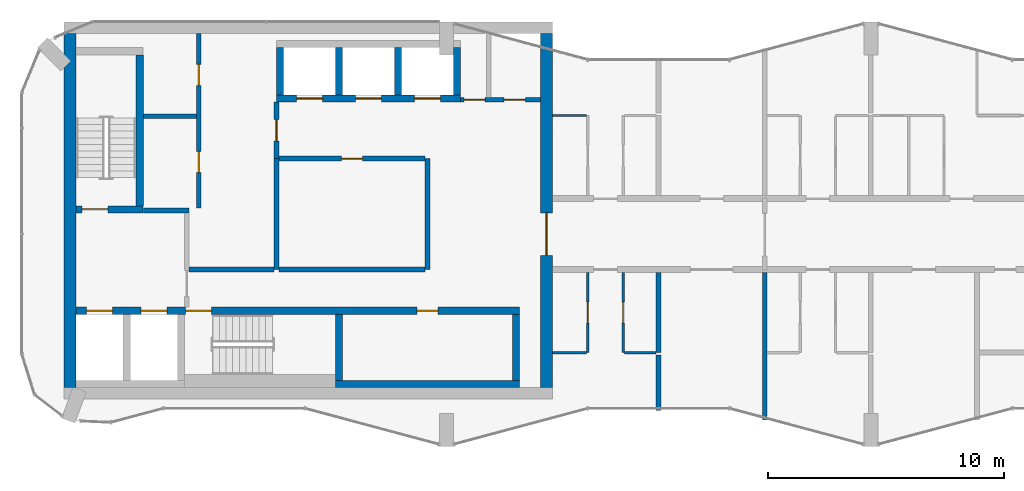
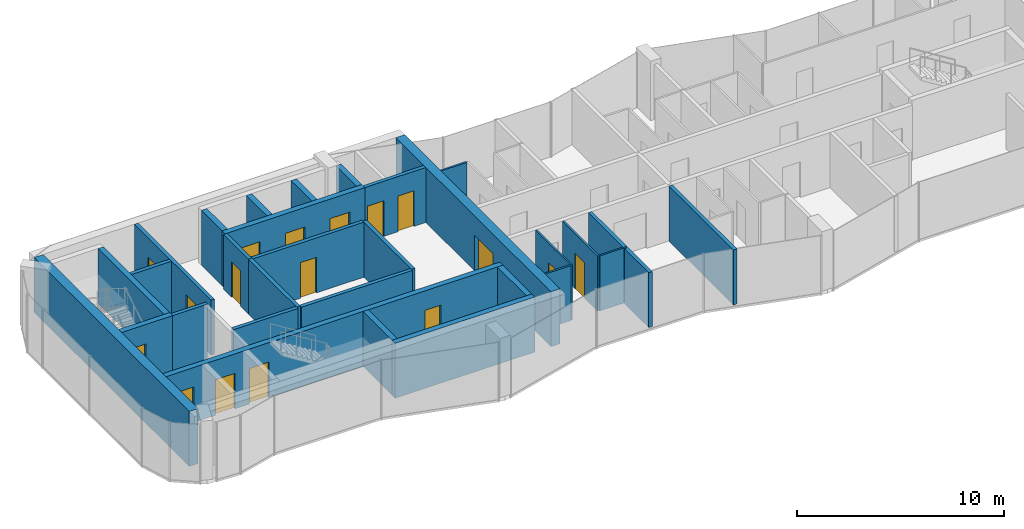
# One storey, part 7 of 10: 31 walls, 17 doors, 17 openings.
"""IFC4 building model written with IfcOpenShell, lengths in metres."""

from ifc_helpers import new_model, si_unit, direction, frame, frame_2d, origin, place, context, subcontext, project, spatial, rectangle, extrude, material, layer, layer_set, type_object, element, fill, save


model = new_model("IFC4")

# Units and contexts
model_context = context("Model", 3, precision=1e-05, world=origin(), true_north=direction((0.0, 1.0)))
body_context = subcontext(model_context, "Body", "Model", "MODEL_VIEW")
ifc_project = project(units=[si_unit("LENGTHUNIT", "METRE"), si_unit("AREAUNIT", "SQUARE_METRE"), si_unit("VOLUMEUNIT", "CUBIC_METRE"), si_unit("PLANEANGLEUNIT", "RADIAN"), si_unit("MASSUNIT", "GRAM", prefix="KILO")], contexts=[model_context])

# Site, building, storey
site_placement = place(None, origin())
site = spatial("IfcSite", under=ifc_project, at=site_placement, CompositionType="ELEMENT")
building_placement = place(site_placement, origin())
building = spatial("IfcBuilding", under=site, at=building_placement, Name="Plateau Cross Towers", CompositionType="ELEMENT")
storey_placement = place(building_placement, frame((0.0, 0.0, 252.89990234375)))
storey = spatial("IfcBuildingStorey", under=building, at=storey_placement, Name="L66", CompositionType="ELEMENT", Elevation=252.89990234375)

# Walls
ifc_material_1 = material(Name="Concrete block, plastered both sides", Category="concrete")
ifc_layer_1 = layer(ifc_material_1, 0.199951171875)
ifc_layer_set_1 = layer_set([ifc_layer_1], Name="Concrete block, plastered both sides")
wall_type_1 = type_object("IfcWallType", Name="Core partition 200", PredefinedType="PARTITIONING", material=ifc_layer_set_1)
wall_1_placement = place(storey_placement, frame((5.14990234375, 10.0, 0.0), z_axis=(0.0, 0.0, 1.0), x_axis=(1.0, 0.0, 0.0)))
element("IfcWall", 1, at=wall_1_placement, inside=storey, type_object=wall_type_1, Name="Core partition", PredefinedType="PARTITIONING", context=body_context, shape_type="SweptSolid", body=[
    extrude(rectangle(XDim=1.9501953125, YDim=0.199951171875, at=frame_2d((0.97509765625, 0.0))), origin(), (0.0, 0.0, 1.0), 3.25),
])
wall_2_placement = place(storey_placement, frame((7.10009765625, 7.5, 0.0), z_axis=(0.0, 0.0, 1.0), x_axis=(1.0, 0.0, 0.0)))
element("IfcWall", 2, at=wall_2_placement, inside=storey, type_object=wall_type_1, Name="Core partition", PredefinedType="PARTITIONING", context=body_context, shape_type="SweptSolid", body=[
    extrude(rectangle(XDim=3.599853515625, YDim=0.199951171875, at=frame_2d((1.7998046875, 0.0))), origin(), (0.0, 0.0, 1.0), 3.25),
])

# Wall, opening, door
wall_3_placement = place(storey_placement, frame((10.800048828125, 12.199951171875, 0.0), z_axis=(0.0, 0.0, 1.0), x_axis=(0.0, 1.0, 0.0)))
wall_3 = element("IfcWall", 3, at=wall_3_placement, inside=storey, type_object=wall_type_1, Name="Core partition", PredefinedType="PARTITIONING", context=body_context, shape_type="SweptSolid", body=[
    extrude(rectangle(XDim=2.400146484375, YDim=0.199951171875, at=frame_2d((1.2001953125, 0.0))), origin(), (0.0, 0.0, 1.0), 3.25),
])
opening_1_placement = place(wall_3_placement, frame((0.75, 0.0, 0.0)))
opening_1 = element("IfcOpeningElement", 4, at=opening_1_placement, cuts=wall_3, Name="Opening RD1", PredefinedType="OPENING", context=body_context, shape_type="SweptSolid", body=[
    extrude(rectangle(XDim=0.89990234375, YDim=2.10009765625, at=frame_2d((0.449951171875, 1.050048828125))), frame((0.0, 0.10986328125, 0.0), z_axis=(0.0, -1.0, 0.0), x_axis=(1.0, 0.0, 0.0)), (0.0, 0.0, 1.0), 0.219970703125),
])
ifc_material_2 = material(Name="Timber, fire-resisting leaf", Category="wood")
door_type_1 = type_object("IfcDoorType", Name="Core service door 900", OperationType="NOTDEFINED", PredefinedType="DOOR", material=ifc_material_2)
door_1_placement = place(opening_1_placement, origin())
door_1 = element("IfcDoor", 5, at=door_1_placement, inside=storey, type_object=door_type_1, Name="Core service door RD1", OperationType="SINGLE_SWING_LEFT", OverallHeight=2.10009765625, OverallWidth=0.89990234375, PredefinedType="DOOR", context=body_context, shape_type="SweptSolid", body=[
    extrude(rectangle(XDim=0.89990234375, YDim=2.10009765625, at=frame_2d((0.449951171875, 1.050048828125))), frame((0.0, 0.02490234375, 0.0), z_axis=(0.0, -1.0, 0.0), x_axis=(1.0, 0.0, 0.0)), (0.0, 0.0, 1.0), 0.050048828125),
])
fill(opening_1, door_1)

# Walls
wall_4_placement = place(storey_placement, frame((10.800048828125, 7.5, 0.0), z_axis=(0.0, 0.0, 1.0), x_axis=(0.0, 1.0, 0.0)))
element("IfcWall", 6, at=wall_4_placement, inside=storey, type_object=wall_type_1, Name="Core partition", PredefinedType="PARTITIONING", context=body_context, shape_type="SweptSolid", body=[
    extrude(rectangle(XDim=4.699951171875, YDim=0.199951171875, at=frame_2d((2.35009765625, 0.0))), origin(), (0.0, 0.0, 1.0), 3.25),
])
wall_5_placement = place(storey_placement, frame((10.89990234375, 7.5, 0.0), z_axis=(0.0, 0.0, 1.0), x_axis=(1.0, 0.0, 0.0)))
element("IfcWall", 7, at=wall_5_placement, inside=storey, type_object=wall_type_1, Name="Core partition", PredefinedType="PARTITIONING", context=body_context, shape_type="SweptSolid", body=[
    extrude(rectangle(XDim=6.2001953125, YDim=0.199951171875, at=frame_2d((3.10009765625, 0.0))), origin(), (0.0, 0.0, 1.0), 3.25),
])
wall_6_placement = place(storey_placement, frame((17.199951171875, 7.5, 0.0), z_axis=(0.0, 0.0, 1.0), x_axis=(0.0, 1.0, 0.0)))
element("IfcWall", 8, at=wall_6_placement, inside=storey, type_object=wall_type_1, Name="Core partition", PredefinedType="PARTITIONING", context=body_context, shape_type="SweptSolid", body=[
    extrude(rectangle(XDim=4.699951171875, YDim=0.199951171875, at=frame_2d((2.35009765625, 0.0))), origin(), (0.0, 0.0, 1.0), 3.25),
])

# Wall, opening, door
wall_7_placement = place(storey_placement, frame((10.89990234375, 12.199951171875, 0.0), z_axis=(0.0, 0.0, 1.0), x_axis=(1.0, 0.0, 0.0)))
wall_7 = element("IfcWall", 9, at=wall_7_placement, inside=storey, type_object=wall_type_1, Name="Core partition", PredefinedType="PARTITIONING", context=body_context, shape_type="SweptSolid", body=[
    extrude(rectangle(XDim=6.2001953125, YDim=0.199951171875, at=frame_2d((3.10009765625, 0.0))), origin(), (0.0, 0.0, 1.0), 3.25),
])
opening_2_placement = place(wall_7_placement, frame((2.64990234375, 0.0, 0.0)))
opening_2 = element("IfcOpeningElement", 10, at=opening_2_placement, cuts=wall_7, Name="Opening RD1", PredefinedType="OPENING", context=body_context, shape_type="SweptSolid", body=[
    extrude(rectangle(XDim=0.89990234375, YDim=2.10009765625, at=frame_2d((0.449951171875, 1.050048828125))), frame((0.0, 0.10986328125, 0.0), z_axis=(0.0, -1.0, 0.0), x_axis=(1.0, 0.0, 0.0)), (0.0, 0.0, 1.0), 0.219970703125),
])
door_2_placement = place(opening_2_placement, origin())
door_2 = element("IfcDoor", 11, at=door_2_placement, inside=storey, type_object=door_type_1, Name="Core service door RD1", OperationType="SINGLE_SWING_LEFT", OverallHeight=2.10009765625, OverallWidth=0.89990234375, PredefinedType="DOOR", context=body_context, shape_type="SweptSolid", body=[
    extrude(rectangle(XDim=0.89990234375, YDim=2.10009765625, at=frame_2d((0.449951171875, 1.050048828125))), frame((0.0, 0.02490234375, 0.0), z_axis=(0.0, -1.0, 0.0), x_axis=(1.0, 0.0, 0.0)), (0.0, 0.0, 1.0), 0.050048828125),
])
fill(opening_2, door_2)

# Wall, openings, doors
wall_8_placement = place(storey_placement, frame((7.5, 10.10009765625, 0.0), z_axis=(0.0, 0.0, 1.0), x_axis=(0.0, 1.0, 0.0)))
wall_8 = element("IfcWall", 12, at=wall_8_placement, inside=storey, type_object=wall_type_1, Name="Core partition", PredefinedType="PARTITIONING", context=body_context, shape_type="SweptSolid", body=[
    extrude(rectangle(XDim=7.39990234375, YDim=0.199951171875, at=frame_2d((3.699951171875, 0.0))), origin(), (0.0, 0.0, 1.0), 3.25),
])
opening_3_placement = place(wall_8_placement, frame((1.5, 0.0, 0.0)))
opening_3 = element("IfcOpeningElement", 13, at=opening_3_placement, cuts=wall_8, Name="Opening RD1", PredefinedType="OPENING", context=body_context, shape_type="SweptSolid", body=[
    extrude(rectangle(XDim=0.89990234375, YDim=2.10009765625, at=frame_2d((0.449951171875, 1.050048828125))), frame((0.0, 0.10986328125, 0.0), z_axis=(0.0, -1.0, 0.0), x_axis=(1.0, 0.0, 0.0)), (0.0, 0.0, 1.0), 0.219970703125),
])
opening_4_placement = place(wall_8_placement, frame((5.199951171875, 0.0, 0.0)))
opening_4 = element("IfcOpeningElement", 14, at=opening_4_placement, cuts=wall_8, Name="Opening RD1", PredefinedType="OPENING", context=body_context, shape_type="SweptSolid", body=[
    extrude(rectangle(XDim=0.89990234375, YDim=2.10009765625, at=frame_2d((0.449951171875, 1.050048828125))), frame((0.0, 0.10986328125, 0.0), z_axis=(0.0, -1.0, 0.0), x_axis=(1.0, 0.0, 0.0)), (0.0, 0.0, 1.0), 0.219970703125),
])
door_3_placement = place(opening_3_placement, origin())
door_3 = element("IfcDoor", 15, at=door_3_placement, inside=storey, type_object=door_type_1, Name="Core service door RD1", OperationType="SINGLE_SWING_RIGHT", OverallHeight=2.10009765625, OverallWidth=0.89990234375, PredefinedType="DOOR", context=body_context, shape_type="SweptSolid", body=[
    extrude(rectangle(XDim=0.89990234375, YDim=2.10009765625, at=frame_2d((0.449951171875, 1.050048828125))), frame((0.0, 0.02490234375, 0.0), z_axis=(0.0, -1.0, 0.0), x_axis=(1.0, 0.0, 0.0)), (0.0, 0.0, 1.0), 0.050048828125),
])
fill(opening_3, door_3)
door_4_placement = place(opening_4_placement, origin())
door_4 = element("IfcDoor", 16, at=door_4_placement, inside=storey, type_object=door_type_1, Name="Core service door RD1", OperationType="SINGLE_SWING_RIGHT", OverallHeight=2.10009765625, OverallWidth=0.89990234375, PredefinedType="DOOR", context=body_context, shape_type="SweptSolid", body=[
    extrude(rectangle(XDim=0.89990234375, YDim=2.10009765625, at=frame_2d((0.449951171875, 1.050048828125))), frame((0.0, 0.02490234375, 0.0), z_axis=(0.0, -1.0, 0.0), x_axis=(1.0, 0.0, 0.0)), (0.0, 0.0, 1.0), 0.050048828125),
])
fill(opening_4, door_4)

# Wall
wall_9_placement = place(storey_placement, frame((5.14990234375, 14.0, 0.0), z_axis=(0.0, 0.0, 1.0), x_axis=(1.0, 0.0, 0.0)))
element("IfcWall", 17, at=wall_9_placement, inside=storey, type_object=wall_type_1, Name="Core partition", PredefinedType="PARTITIONING", context=body_context, shape_type="SweptSolid", body=[
    extrude(rectangle(XDim=2.25, YDim=0.199951171875, at=frame_2d((1.125, 0.0))), origin(), (0.0, 0.0, 1.0), 3.25),
])

# Wall, openings, doors
wall_10_placement = place(storey_placement, frame((18.60009765625, 14.699951171875, 0.0), z_axis=(0.0, 0.0, 1.0), x_axis=(1.0, 0.0, 0.0)))
wall_10 = element("IfcWall", 18, at=wall_10_placement, inside=storey, type_object=wall_type_1, Name="Core partition", PredefinedType="PARTITIONING", context=body_context, shape_type="SweptSolid", body=[
    extrude(rectangle(XDim=3.39990234375, YDim=0.199951171875, at=frame_2d((1.699951171875, 0.0))), origin(), (0.0, 0.0, 1.0), 3.25),
])
opening_5_placement = place(wall_10_placement, frame((0.14990234375, 0.0, 0.0)))
opening_5 = element("IfcOpeningElement", 19, at=opening_5_placement, cuts=wall_10, Name="Opening RD2", PredefinedType="OPENING", context=body_context, shape_type="SweptSolid", body=[
    extrude(rectangle(XDim=0.89990234375, YDim=2.10009765625, at=frame_2d((0.449951171875, 1.050048828125))), frame((0.0, 0.10986328125, 0.0), z_axis=(0.0, -1.0, 0.0), x_axis=(1.0, 0.0, 0.0)), (0.0, 0.0, 1.0), 0.219970703125),
])
opening_6_placement = place(wall_10_placement, frame((1.85009765625, 0.0, 0.0)))
opening_6 = element("IfcOpeningElement", 20, at=opening_6_placement, cuts=wall_10, Name="Opening RD2", PredefinedType="OPENING", context=body_context, shape_type="SweptSolid", body=[
    extrude(rectangle(XDim=0.89990234375, YDim=2.10009765625, at=frame_2d((0.449951171875, 1.050048828125))), frame((0.0, 0.10986328125, 0.0), z_axis=(0.0, -1.0, 0.0), x_axis=(1.0, 0.0, 0.0)), (0.0, 0.0, 1.0), 0.219970703125),
])
ifc_material_3 = material(Name="Steel, fire-resisting leaf", Category="steel")
door_type_2 = type_object("IfcDoorType", Name="Core riser door 900", OperationType="NOTDEFINED", PredefinedType="DOOR", material=ifc_material_3)
door_5_placement = place(opening_5_placement, origin())
door_5 = element("IfcDoor", 21, at=door_5_placement, inside=storey, type_object=door_type_2, Name="Core riser door RD2", OperationType="SINGLE_SWING_LEFT", OverallHeight=2.10009765625, OverallWidth=0.89990234375, PredefinedType="DOOR", context=body_context, shape_type="SweptSolid", body=[
    extrude(rectangle(XDim=0.89990234375, YDim=2.10009765625, at=frame_2d((0.449951171875, 1.050048828125))), frame((0.0, 0.02490234375, 0.0), z_axis=(0.0, -1.0, 0.0), x_axis=(1.0, 0.0, 0.0)), (0.0, 0.0, 1.0), 0.050048828125),
])
fill(opening_5, door_5)
door_6_placement = place(opening_6_placement, origin())
door_6 = element("IfcDoor", 22, at=door_6_placement, inside=storey, type_object=door_type_2, Name="Core riser door RD2", OperationType="SINGLE_SWING_LEFT", OverallHeight=2.10009765625, OverallWidth=0.89990234375, PredefinedType="DOOR", context=body_context, shape_type="SweptSolid", body=[
    extrude(rectangle(XDim=0.89990234375, YDim=2.10009765625, at=frame_2d((0.449951171875, 1.050048828125))), frame((0.0, 0.02490234375, 0.0), z_axis=(0.0, -1.0, 0.0), x_axis=(1.0, 0.0, 0.0)), (0.0, 0.0, 1.0), 0.050048828125),
])
fill(opening_6, door_6)

# Walls
ifc_material_4 = material(Name="Concrete C60/75", Category="concrete")
ifc_layer_2 = layer(ifc_material_4, 0.300048828125)
ifc_layer_set_2 = layer_set([ifc_layer_2], Name="Concrete C60/75")
wall_type_2 = type_object("IfcWallType", Name="Core shaft wall 300", PredefinedType="SHEAR", material=ifc_layer_set_2)
wall_11_placement = place(storey_placement, frame((13.300048828125, 2.64990234375, 0.0), z_axis=(0.0, 0.0, 1.0), x_axis=(1.0, 0.0, 0.0)))
element("IfcWall", 23, at=wall_11_placement, inside=storey, type_object=wall_type_2, Name="A-sb-back3@L66", PredefinedType="SHEAR", context=body_context, shape_type="SweptSolid", body=[
    extrude(rectangle(XDim=7.800048828125, YDim=0.300048828125, at=frame_2d((3.89990234375, 0.0))), origin(), (0.0, 0.0, 1.0), 3.25),
])
for number, where, z_axis, x_axis, name in (
    (24, (13.449951171875, 2.800048828125, 0.0), (0.0, 0.0, 1.0), (0.0, 1.0, 0.0), "A-sb-v3@L66"),
    (25, (20.949951171875, 2.800048828125, 0.0), (0.0, 0.0, 1.0), (0.0, 1.0, 0.0), "A-sb-v6@L66"),
):
    element("IfcWall", number, at=place(storey_placement, frame(where, z_axis=z_axis, x_axis=x_axis)), inside=storey, type_object=wall_type_2, Name=name, PredefinedType="SHEAR", context=body_context, shape_type="SweptSolid", body=[
        extrude(rectangle(XDim=2.800048828125, YDim=0.300048828125, at=frame_2d((1.39990234375, 0.0))), origin(), (0.0, 0.0, 1.0), 3.25),
    ])

# Wall, openings, doors
wall_12_placement = place(storey_placement, frame((2.300048828125, 5.75, 0.0), z_axis=(0.0, 0.0, 1.0), x_axis=(1.0, 0.0, 0.0)))
wall_12 = element("IfcWall", 26, at=wall_12_placement, inside=storey, type_object=wall_type_2, Name="A-sb-front@L66", PredefinedType="SHEAR", context=body_context, shape_type="SweptSolid", body=[
    extrude(rectangle(XDim=18.800048828125, YDim=0.300048828125, at=frame_2d((9.39990234375, 0.0))), origin(), (0.0, 0.0, 1.0), 3.25),
])
opening_7_placement = place(wall_12_placement, frame((4.64990234375, 0.0, 0.0)))
opening_7 = element("IfcOpeningElement", 27, at=opening_7_placement, cuts=wall_12, Name="Opening SD", PredefinedType="OPENING", context=body_context, shape_type="SweptSolid", body=[
    extrude(rectangle(XDim=1.10009765625, YDim=2.10009765625, at=frame_2d((0.550048828125, 1.050048828125))), frame((0.0, 0.159912109375, 0.0), z_axis=(0.0, -1.0, 0.0), x_axis=(1.0, 0.0, 0.0)), (0.0, 0.0, 1.0), 0.320068359375),
])
opening_8_placement = place(wall_12_placement, frame((0.449951171875, 0.0, 0.0)))
opening_8 = element("IfcOpeningElement", 28, at=opening_8_placement, cuts=wall_12, Name="Opening LD", PredefinedType="OPENING", context=body_context, shape_type="SweptSolid", body=[
    extrude(rectangle(XDim=1.10009765625, YDim=2.10009765625, at=frame_2d((0.550048828125, 1.050048828125))), frame((0.0, 0.159912109375, 0.0), z_axis=(0.0, -1.0, 0.0), x_axis=(1.0, 0.0, 0.0)), (0.0, 0.0, 1.0), 0.320068359375),
])
opening_9_placement = place(wall_12_placement, frame((2.75, 0.0, 0.0)))
opening_9 = element("IfcOpeningElement", 29, at=opening_9_placement, cuts=wall_12, Name="Opening LD", PredefinedType="OPENING", context=body_context, shape_type="SweptSolid", body=[
    extrude(rectangle(XDim=1.10009765625, YDim=2.10009765625, at=frame_2d((0.550048828125, 1.050048828125))), frame((0.0, 0.159912109375, 0.0), z_axis=(0.0, -1.0, 0.0), x_axis=(1.0, 0.0, 0.0)), (0.0, 0.0, 1.0), 0.320068359375),
])
opening_10_placement = place(wall_12_placement, frame((14.449951171875, 0.0, 0.0)))
opening_10 = element("IfcOpeningElement", 30, at=opening_10_placement, cuts=wall_12, Name="Opening RD2", PredefinedType="OPENING", context=body_context, shape_type="SweptSolid", body=[
    extrude(rectangle(XDim=0.89990234375, YDim=2.10009765625, at=frame_2d((0.449951171875, 1.050048828125))), frame((0.0, 0.159912109375, 0.0), z_axis=(0.0, -1.0, 0.0), x_axis=(1.0, 0.0, 0.0)), (0.0, 0.0, 1.0), 0.320068359375),
])
door_7_placement = place(opening_10_placement, origin())
door_7 = element("IfcDoor", 31, at=door_7_placement, inside=storey, type_object=door_type_2, Name="Core riser door RD2", OperationType="SINGLE_SWING_LEFT", OverallHeight=2.10009765625, OverallWidth=0.89990234375, PredefinedType="DOOR", context=body_context, shape_type="SweptSolid", body=[
    extrude(rectangle(XDim=0.89990234375, YDim=2.10009765625, at=frame_2d((0.449951171875, 1.050048828125))), frame((0.0, 0.02490234375, 0.0), z_axis=(0.0, -1.0, 0.0), x_axis=(1.0, 0.0, 0.0)), (0.0, 0.0, 1.0), 0.050048828125),
])
fill(opening_10, door_7)
ifc_material_5 = material(Name="Stainless steel, fire-resisting sliding leaves", Category="steel")
door_type_3 = type_object("IfcDoorType", Name="Lift landing door 1100", OperationType="NOTDEFINED", PredefinedType="DOOR", material=ifc_material_5)
door_8_placement = place(opening_8_placement, origin())
door_8 = element("IfcDoor", 32, at=door_8_placement, inside=storey, type_object=door_type_3, Name="Lift landing door LD", OperationType="DOUBLE_DOOR_SLIDING", OverallHeight=2.10009765625, OverallWidth=1.10009765625, PredefinedType="DOOR", context=body_context, shape_type="SweptSolid", body=[
    extrude(rectangle(XDim=1.10009765625, YDim=2.10009765625, at=frame_2d((0.550048828125, 1.050048828125))), frame((0.0, 0.02490234375, 0.0), z_axis=(0.0, -1.0, 0.0), x_axis=(1.0, 0.0, 0.0)), (0.0, 0.0, 1.0), 0.050048828125),
])
fill(opening_8, door_8)
door_9_placement = place(opening_9_placement, origin())
door_9 = element("IfcDoor", 33, at=door_9_placement, inside=storey, type_object=door_type_3, Name="Lift landing door LD", OperationType="DOUBLE_DOOR_SLIDING", OverallHeight=2.10009765625, OverallWidth=1.10009765625, PredefinedType="DOOR", context=body_context, shape_type="SweptSolid", body=[
    extrude(rectangle(XDim=1.10009765625, YDim=2.10009765625, at=frame_2d((0.550048828125, 1.050048828125))), frame((0.0, 0.02490234375, 0.0), z_axis=(0.0, -1.0, 0.0), x_axis=(1.0, 0.0, 0.0)), (0.0, 0.0, 1.0), 0.050048828125),
])
fill(opening_9, door_9)
door_type_4 = type_object("IfcDoorType", Name="Stair door 1100", OperationType="NOTDEFINED", PredefinedType="DOOR", material=ifc_material_3)
door_10_placement = place(opening_7_placement, origin())
door_10 = element("IfcDoor", 34, at=door_10_placement, inside=storey, type_object=door_type_4, Name="Stair door SD", OperationType="SINGLE_SWING_LEFT", OverallHeight=2.10009765625, OverallWidth=1.10009765625, PredefinedType="DOOR", context=body_context, shape_type="SweptSolid", body=[
    extrude(rectangle(XDim=1.10009765625, YDim=2.10009765625, at=frame_2d((0.550048828125, 1.050048828125))), frame((0.0, 0.02490234375, 0.0), z_axis=(0.0, -1.0, 0.0), x_axis=(1.0, 0.0, 0.0)), (0.0, 0.0, 1.0), 0.050048828125),
])
fill(opening_7, door_10)

# Wall, opening, door
wall_13_placement = place(storey_placement, frame((2.300048828125, 10.050048828125, 0.0), z_axis=(0.0, 0.0, 1.0), x_axis=(1.0, 0.0, 0.0)))
wall_13 = element("IfcWall", 35, at=wall_13_placement, inside=storey, type_object=wall_type_2, Name="A-st1-S@L66", PredefinedType="SHEAR", context=body_context, shape_type="SweptSolid", body=[
    extrude(rectangle(XDim=2.849853515625, YDim=0.300048828125, at=frame_2d((1.4248046875, 0.0))), origin(), (0.0, 0.0, 1.0), 3.25),
])
opening_11_placement = place(wall_13_placement, frame((0.25, 0.0, 0.0)))
opening_11 = element("IfcOpeningElement", 36, at=opening_11_placement, cuts=wall_13, Name="Opening SD", PredefinedType="OPENING", context=body_context, shape_type="SweptSolid", body=[
    extrude(rectangle(XDim=1.10009765625, YDim=2.10009765625, at=frame_2d((0.550048828125, 1.050048828125))), frame((0.0, 0.159912109375, 0.0), z_axis=(0.0, -1.0, 0.0), x_axis=(1.0, 0.0, 0.0)), (0.0, 0.0, 1.0), 0.320068359375),
])
door_11_placement = place(opening_11_placement, origin())
door_11 = element("IfcDoor", 37, at=door_11_placement, inside=storey, type_object=door_type_4, Name="Stair door SD", OperationType="SINGLE_SWING_RIGHT", OverallHeight=2.10009765625, OverallWidth=1.10009765625, PredefinedType="DOOR", context=body_context, shape_type="SweptSolid", body=[
    extrude(rectangle(XDim=1.10009765625, YDim=2.10009765625, at=frame_2d((0.550048828125, 1.050048828125))), frame((0.0, 0.02490234375, 0.0), z_axis=(0.0, -1.0, 0.0), x_axis=(1.0, 0.0, 0.0)), (0.0, 0.0, 1.0), 0.050048828125),
])
fill(opening_11, door_11)

# Wall
wall_14_placement = place(storey_placement, frame((5.0, 10.199951171875, 0.0), z_axis=(0.0, 0.0, 1.0), x_axis=(0.0, 1.0, 0.0)))
element("IfcWall", 38, at=wall_14_placement, inside=storey, type_object=wall_type_2, Name="A-st1-E@L66", PredefinedType="SHEAR", context=body_context, shape_type="SweptSolid", body=[
    extrude(rectangle(XDim=6.400146484375, YDim=0.300048828125, at=frame_2d((3.2001953125, 0.0))), origin(), (0.0, 0.0, 1.0), 3.25),
])

# Wall, openings, doors
wall_15_placement = place(storey_placement, frame((10.800048828125, 14.75, 0.0), z_axis=(0.0, 0.0, 1.0), x_axis=(1.0, 0.0, 0.0)))
wall_15 = element("IfcWall", 39, at=wall_15_placement, inside=storey, type_object=wall_type_2, Name="A-nb-front@L66", PredefinedType="SHEAR", context=body_context, shape_type="SweptSolid", body=[
    extrude(rectangle(XDim=7.800048828125, YDim=0.300048828125, at=frame_2d((3.89990234375, 0.0))), origin(), (0.0, 0.0, 1.0), 3.25),
])
opening_12_placement = place(wall_15_placement, frame((0.85009765625, 0.0, 0.0)))
opening_12 = element("IfcOpeningElement", 40, at=opening_12_placement, cuts=wall_15, Name="Opening LD", PredefinedType="OPENING", context=body_context, shape_type="SweptSolid", body=[
    extrude(rectangle(XDim=1.10009765625, YDim=2.10009765625, at=frame_2d((0.550048828125, 1.050048828125))), frame((0.0, 0.159912109375, 0.0), z_axis=(0.0, -1.0, 0.0), x_axis=(1.0, 0.0, 0.0)), (0.0, 0.0, 1.0), 0.320068359375),
])
opening_13_placement = place(wall_15_placement, frame((3.35009765625, 0.0, 0.0)))
opening_13 = element("IfcOpeningElement", 41, at=opening_13_placement, cuts=wall_15, Name="Opening LD", PredefinedType="OPENING", context=body_context, shape_type="SweptSolid", body=[
    extrude(rectangle(XDim=1.10009765625, YDim=2.10009765625, at=frame_2d((0.550048828125, 1.050048828125))), frame((0.0, 0.159912109375, 0.0), z_axis=(0.0, -1.0, 0.0), x_axis=(1.0, 0.0, 0.0)), (0.0, 0.0, 1.0), 0.320068359375),
])
opening_14_placement = place(wall_15_placement, frame((5.85009765625, 0.0, 0.0)))
opening_14 = element("IfcOpeningElement", 42, at=opening_14_placement, cuts=wall_15, Name="Opening LD", PredefinedType="OPENING", context=body_context, shape_type="SweptSolid", body=[
    extrude(rectangle(XDim=1.10009765625, YDim=2.10009765625, at=frame_2d((0.550048828125, 1.050048828125))), frame((0.0, 0.159912109375, 0.0), z_axis=(0.0, -1.0, 0.0), x_axis=(1.0, 0.0, 0.0)), (0.0, 0.0, 1.0), 0.320068359375),
])
door_12_placement = place(opening_12_placement, origin())
door_12 = element("IfcDoor", 43, at=door_12_placement, inside=storey, type_object=door_type_3, Name="Lift landing door LD", OperationType="DOUBLE_DOOR_SLIDING", OverallHeight=2.10009765625, OverallWidth=1.10009765625, PredefinedType="DOOR", context=body_context, shape_type="SweptSolid", body=[
    extrude(rectangle(XDim=1.10009765625, YDim=2.10009765625, at=frame_2d((0.550048828125, 1.050048828125))), frame((0.0, 0.02490234375, 0.0), z_axis=(0.0, -1.0, 0.0), x_axis=(1.0, 0.0, 0.0)), (0.0, 0.0, 1.0), 0.050048828125),
])
fill(opening_12, door_12)
door_13_placement = place(opening_13_placement, origin())
door_13 = element("IfcDoor", 44, at=door_13_placement, inside=storey, type_object=door_type_3, Name="Lift landing door LD", OperationType="DOUBLE_DOOR_SLIDING", OverallHeight=2.10009765625, OverallWidth=1.10009765625, PredefinedType="DOOR", context=body_context, shape_type="SweptSolid", body=[
    extrude(rectangle(XDim=1.10009765625, YDim=2.10009765625, at=frame_2d((0.550048828125, 1.050048828125))), frame((0.0, 0.02490234375, 0.0), z_axis=(0.0, -1.0, 0.0), x_axis=(1.0, 0.0, 0.0)), (0.0, 0.0, 1.0), 0.050048828125),
])
fill(opening_13, door_13)
door_14_placement = place(opening_14_placement, origin())
door_14 = element("IfcDoor", 45, at=door_14_placement, inside=storey, type_object=door_type_3, Name="Lift landing door LD", OperationType="DOUBLE_DOOR_SLIDING", OverallHeight=2.10009765625, OverallWidth=1.10009765625, PredefinedType="DOOR", context=body_context, shape_type="SweptSolid", body=[
    extrude(rectangle(XDim=1.10009765625, YDim=2.10009765625, at=frame_2d((0.550048828125, 1.050048828125))), frame((0.0, 0.02490234375, 0.0), z_axis=(0.0, -1.0, 0.0), x_axis=(1.0, 0.0, 0.0)), (0.0, 0.0, 1.0), 0.050048828125),
])
fill(opening_14, door_14)

# Walls
for number, where, z_axis, x_axis, name in (
    (46, (10.949951171875, 14.89990234375, 0.0), (0.0, 0.0, 1.0), (0.0, 1.0, 0.0), "A-nb-v1@L66"),
    (47, (13.449951171875, 14.89990234375, 0.0), (0.0, 0.0, 1.0), (0.0, 1.0, 0.0), "A-nb-v2@L66"),
    (48, (15.949951171875, 14.89990234375, 0.0), (0.0, 0.0, 1.0), (0.0, 1.0, 0.0), "A-nb-v3@L66"),
    (49, (18.449951171875, 14.89990234375, 0.0), (0.0, 0.0, 1.0), (0.0, 1.0, 0.0), "A-nb-v4@L66"),
):
    element("IfcWall", number, at=place(storey_placement, frame(where, z_axis=z_axis, x_axis=x_axis)), inside=storey, type_object=wall_type_2, Name=name, PredefinedType="SHEAR", context=body_context, shape_type="SweptSolid", body=[
        extrude(rectangle(XDim=2.0, YDim=0.300048828125, at=frame_2d((1.0, 0.0))), origin(), (0.0, 0.0, 1.0), 3.25),
    ])
ifc_layer_3 = layer(ifc_material_4, 0.5)
ifc_layer_set_3 = layer_set([ifc_layer_3], Name="Concrete C60/75")
wall_type_3 = type_object("IfcWallType", Name="Core shell wall 500", PredefinedType="SHEAR", material=ifc_layer_set_3)
wall_16_placement = place(storey_placement, frame((2.050048828125, 2.5, 0.0), z_axis=(0.0, 0.0, 1.0), x_axis=(0.0, 1.0, 0.0)))
element("IfcWall", 50, at=wall_16_placement, inside=storey, type_object=wall_type_3, Name="A-core-W@L66", PredefinedType="SHEAR", context=body_context, shape_type="SweptSolid", body=[
    extrude(rectangle(XDim=15.0, YDim=0.5, at=frame_2d((7.5, 0.0))), origin(), (0.0, 0.0, 1.0), 3.25),
])

# Wall, opening, door
wall_17_placement = place(storey_placement, frame((22.25, 2.5, 0.0), z_axis=(0.0, 0.0, 1.0), x_axis=(0.0, 1.0, 0.0)))
wall_17 = element("IfcWall", 51, at=wall_17_placement, inside=storey, type_object=wall_type_3, Name="A-core-E@L66", PredefinedType="SHEAR", context=body_context, shape_type="SweptSolid", body=[
    extrude(rectangle(XDim=15.0, YDim=0.5, at=frame_2d((7.5, 0.0))), origin(), (0.0, 0.0, 1.0), 3.25),
])
opening_15_placement = place(wall_17_placement, frame((5.60009765625, 0.0, 0.0)))
opening_15 = element("IfcOpeningElement", 52, at=opening_15_placement, cuts=wall_17, Name="Opening CD", PredefinedType="OPENING", context=body_context, shape_type="SweptSolid", body=[
    extrude(rectangle(XDim=1.800048828125, YDim=2.10009765625, at=frame_2d((0.89990234375, 1.050048828125))), frame((0.0, 0.260009765625, 0.0), z_axis=(0.0, -1.0, 0.0), x_axis=(1.0, 0.0, 0.0)), (0.0, 0.0, 1.0), 0.52001953125),
])
ifc_material_6 = material(Name="Steel, fire-resisting leaves", Category="steel")
door_type_5 = type_object("IfcDoorType", Name="Corridor door pair 1800", OperationType="NOTDEFINED", PredefinedType="DOOR", material=ifc_material_6)
door_15_placement = place(opening_15_placement, origin())
door_15 = element("IfcDoor", 53, at=door_15_placement, inside=storey, type_object=door_type_5, Name="Corridor door pair CD", OperationType="DOUBLE_DOOR_SINGLE_SWING", OverallHeight=2.10009765625, OverallWidth=1.800048828125, PredefinedType="DOOR", context=body_context, shape_type="SweptSolid", body=[
    extrude(rectangle(XDim=1.800048828125, YDim=2.10009765625, at=frame_2d((0.89990234375, 1.050048828125))), frame((0.0, 0.02490234375, 0.0), z_axis=(0.0, -1.0, 0.0), x_axis=(1.0, 0.0, 0.0)), (0.0, 0.0, 1.0), 0.050048828125),
])
fill(opening_15, door_15)

# Walls
ifc_material_7 = material(Name="Gypsum board on steel studs", Category="steel")
ifc_layer_4 = layer(ifc_material_7, 0.10009765625)
ifc_layer_set_4 = layer_set([ifc_layer_4], Name="Gypsum board on steel studs")
wall_type_4 = type_object("IfcWallType", Name="Flat partition 100", PredefinedType="PARTITIONING", material=ifc_layer_set_4)
wall_18_placement = place(storey_placement, frame((22.5, 3.97509765625, 0.0), z_axis=(0.0, 0.0, 1.0), x_axis=(1.0, 0.0, 0.0)))
element("IfcWall", 54, at=wall_18_placement, inside=storey, type_object=wall_type_4, Name="Partition wall", PredefinedType="PARTITIONING", context=body_context, shape_type="SweptSolid", body=[
    extrude(rectangle(XDim=1.449951171875, YDim=0.10009765625, at=frame_2d((0.72509765625, 0.0))), origin(), (0.0, 0.0, 1.0), 3.25),
])
wall_19_placement = place(storey_placement, frame((25.550048828125, 3.97509765625, 0.0), z_axis=(0.0, 0.0, 1.0), x_axis=(1.0, 0.0, 0.0)))
element("IfcWall", 55, at=wall_19_placement, inside=storey, type_object=wall_type_4, Name="Partition wall", PredefinedType="PARTITIONING", context=body_context, shape_type="SweptSolid", body=[
    extrude(rectangle(XDim=1.349853515625, YDim=0.10009765625, at=frame_2d((0.6748046875, 0.0))), origin(), (0.0, 0.0, 1.0), 3.25),
])
wall_20_placement = place(storey_placement, frame((23.949951171875, 14.02490234375, 0.0), z_axis=(0.0, 0.0, 1.0), x_axis=(-1.0, 0.0, 0.0)))
element("IfcWall", 56, at=wall_20_placement, inside=storey, type_object=wall_type_4, Name="Partition wall", PredefinedType="PARTITIONING", context=body_context, shape_type="SweptSolid", body=[
    extrude(rectangle(XDim=1.449951171875, YDim=0.10009765625, at=frame_2d((0.72509765625, 0.0))), origin(), (0.0, 0.0, 1.0), 3.25),
])

# Wall, opening, door
wall_21_placement = place(storey_placement, frame((24.0, 3.97509765625, 0.0), z_axis=(0.0, 0.0, 1.0), x_axis=(0.0, 1.0, 0.0)))
wall_21 = element("IfcWall", 57, at=wall_21_placement, inside=storey, type_object=wall_type_4, Name="Partition wall", PredefinedType="PARTITIONING", context=body_context, shape_type="SweptSolid", body=[
    extrude(rectangle(XDim=3.39990234375, YDim=0.10009765625, at=frame_2d((1.699951171875, 0.0))), origin(), (0.0, 0.0, 1.0), 3.25),
])
opening_16_placement = place(wall_21_placement, frame((1.25, 0.0, 0.0)))
opening_16 = element("IfcOpeningElement", 58, at=opening_16_placement, cuts=wall_21, Name="Opening 66-13", PredefinedType="OPENING", context=body_context, shape_type="SweptSolid", body=[
    extrude(rectangle(XDim=0.89990234375, YDim=2.10009765625, at=frame_2d((0.449951171875, 1.050048828125))), frame((0.0, 0.06005859375, 0.0), z_axis=(0.0, -1.0, 0.0), x_axis=(1.0, 0.0, 0.0)), (0.0, 0.0, 1.0), 0.1201171875),
])
ifc_material_8 = material(Name="Timber leaf", Category="wood")
door_type_6 = type_object("IfcDoorType", Name="Flat room door 900", OperationType="NOTDEFINED", PredefinedType="DOOR", material=ifc_material_8)
door_16_placement = place(opening_16_placement, origin())
door_16 = element("IfcDoor", 59, at=door_16_placement, inside=storey, type_object=door_type_6, Name="Door 66-13", OperationType="SINGLE_SWING_LEFT", OverallHeight=2.10009765625, OverallWidth=0.89990234375, PredefinedType="DOOR", context=body_context, shape_type="SweptSolid", body=[
    extrude(rectangle(XDim=0.89990234375, YDim=2.10009765625, at=frame_2d((0.449951171875, 1.050048828125))), frame((0.0, 0.02490234375, 0.0), z_axis=(0.0, -1.0, 0.0), x_axis=(1.0, 0.0, 0.0)), (0.0, 0.0, 1.0), 0.050048828125),
])
fill(opening_16, door_16)

wall_22_placement = place(storey_placement, frame((25.5, 7.375, 0.0), z_axis=(0.0, 0.0, 1.0), x_axis=(0.0, -1.0, 0.0)))
wall_22 = element("IfcWall", 60, at=wall_22_placement, inside=storey, type_object=wall_type_4, Name="Partition wall", PredefinedType="PARTITIONING", context=body_context, shape_type="SweptSolid", body=[
    extrude(rectangle(XDim=3.39990234375, YDim=0.10009765625, at=frame_2d((1.699951171875, 0.0))), origin(), (0.0, 0.0, 1.0), 3.25),
])
opening_17_placement = place(wall_22_placement, frame((1.25, 0.0, 0.0)))
opening_17 = element("IfcOpeningElement", 61, at=opening_17_placement, cuts=wall_22, Name="Opening 66-14", PredefinedType="OPENING", context=body_context, shape_type="SweptSolid", body=[
    extrude(rectangle(XDim=0.89990234375, YDim=2.10009765625, at=frame_2d((0.449951171875, 1.050048828125))), frame((0.0, 0.06005859375, 0.0), z_axis=(0.0, -1.0, 0.0), x_axis=(1.0, 0.0, 0.0)), (0.0, 0.0, 1.0), 0.1201171875),
])
door_17_placement = place(opening_17_placement, origin())
door_17 = element("IfcDoor", 62, at=door_17_placement, inside=storey, type_object=door_type_6, Name="Door 66-14", OperationType="SINGLE_SWING_LEFT", OverallHeight=2.10009765625, OverallWidth=0.89990234375, PredefinedType="DOOR", context=body_context, shape_type="SweptSolid", body=[
    extrude(rectangle(XDim=0.89990234375, YDim=2.10009765625, at=frame_2d((0.449951171875, 1.050048828125))), frame((0.0, 0.02490234375, 0.0), z_axis=(0.0, -1.0, 0.0), x_axis=(1.0, 0.0, 0.0)), (0.0, 0.0, 1.0), 0.050048828125),
])
fill(opening_17, door_17)

# Walls
ifc_material_9 = material(Name="Gypsum board on steel studs, two layers each side", Category="steel")
ifc_layer_5 = layer(ifc_material_9, 0.199951171875)
ifc_layer_set_5 = layer_set([ifc_layer_5], Name="Gypsum board on steel studs, two layers each side")
wall_type_5 = type_object("IfcWallType", Name="Flat party wall 200", PredefinedType="PARTITIONING", material=ifc_layer_set_5)
wall_23_placement = place(storey_placement, frame((27.0, 3.875, 0.0), z_axis=(0.0, 0.0, 1.0), x_axis=(0.0, -1.0, 0.0)))
element("IfcWall", 63, at=wall_23_placement, inside=storey, type_object=wall_type_5, Name="Party wall", PredefinedType="PARTITIONING", context=body_context, shape_type="SweptSolid", body=[
    extrude(rectangle(XDim=2.34814453125, YDim=0.199951171875, at=frame_2d((1.174072265625, 0.0))), origin(), (0.0, 0.0, 1.0), 3.25),
])
wall_24_placement = place(storey_placement, frame((27.0, 3.97509765625, 0.0), z_axis=(0.0, 0.0, 1.0), x_axis=(0.0, 1.0, 0.0)))
element("IfcWall", 64, at=wall_24_placement, inside=storey, type_object=wall_type_5, Name="Party wall", PredefinedType="PARTITIONING", context=body_context, shape_type="SweptSolid", body=[
    extrude(rectangle(XDim=3.39990234375, YDim=0.199951171875, at=frame_2d((1.699951171875, 0.0))), origin(), (0.0, 0.0, 1.0), 3.25),
])
wall_25_placement = place(storey_placement, frame((31.5, 1.122314453125, 0.0), z_axis=(0.0, 0.0, 1.0), x_axis=(0.0, 1.0, 0.0)))
element("IfcWall", 65, at=wall_25_placement, inside=storey, type_object=wall_type_5, Name="Party wall", PredefinedType="PARTITIONING", context=body_context, shape_type="SweptSolid", body=[
    extrude(rectangle(XDim=6.252685546875, YDim=0.199951171875, at=frame_2d((3.12646484375, 0.0))), origin(), (0.0, 0.0, 1.0), 3.25),
])

save(model, "model.ifc")
